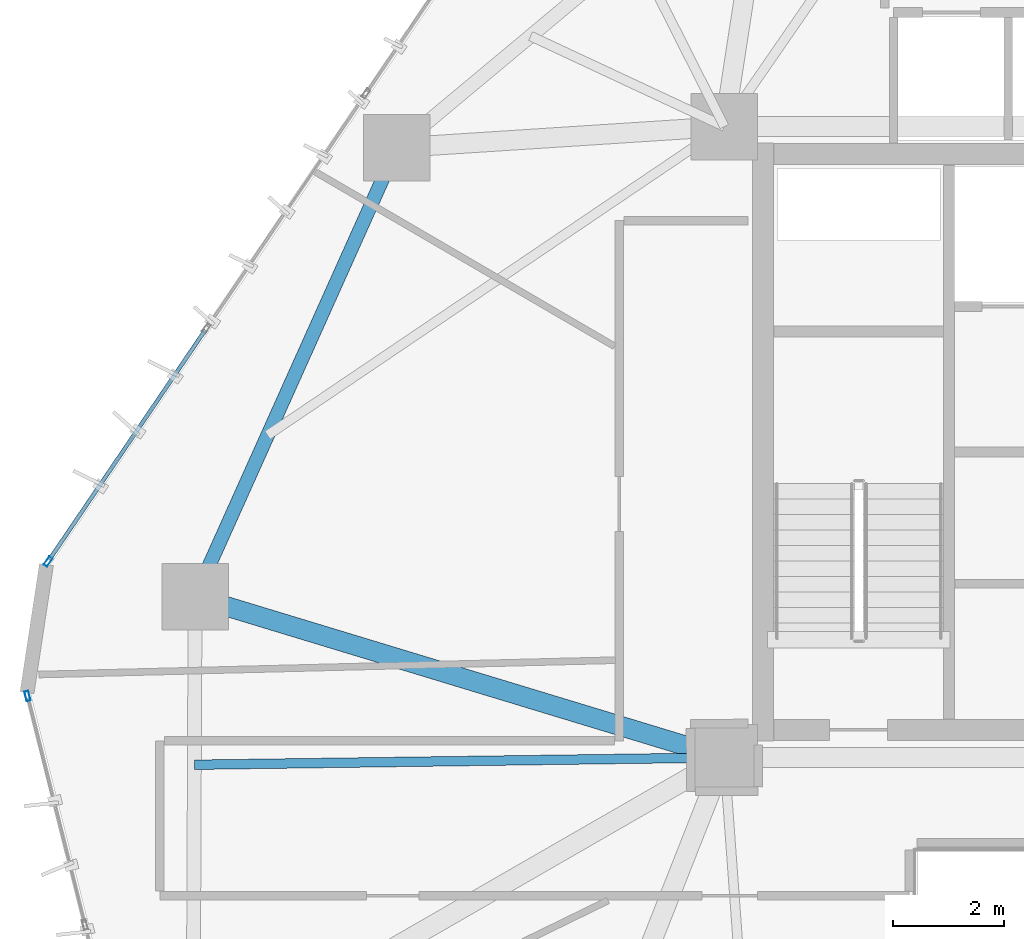
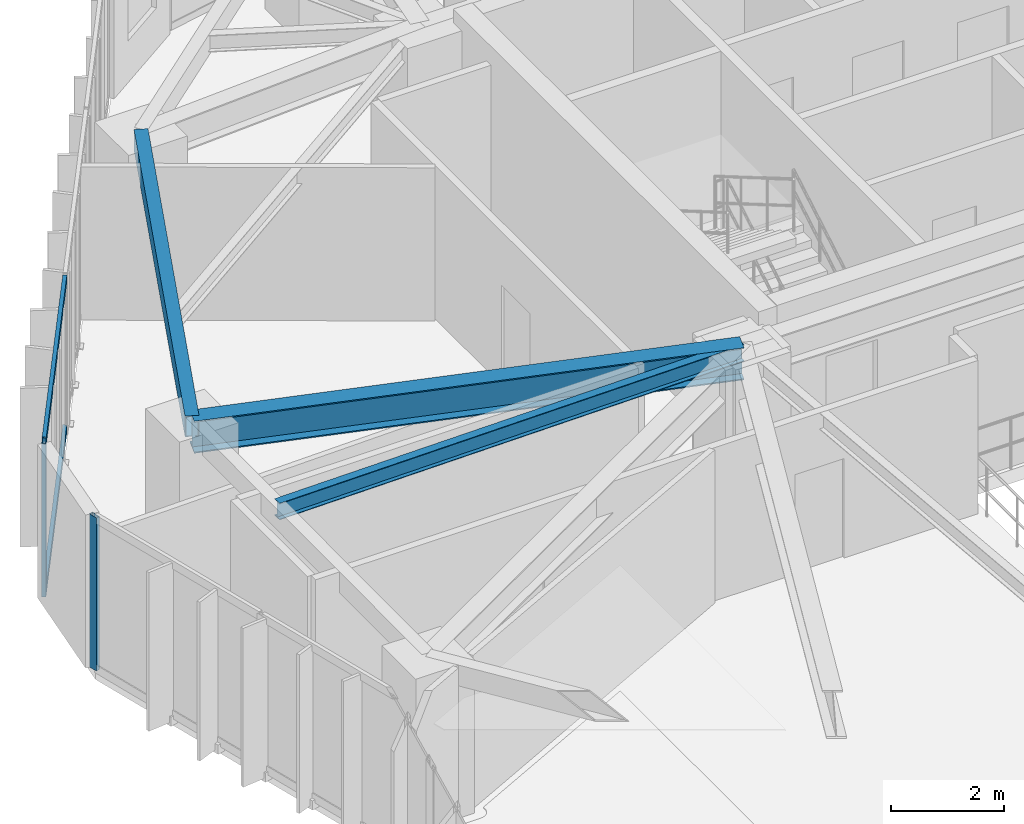
# One storey, part 8 of 22: 4 members, 3 beams, 2 elements without a shape of their own.
"""IFC4 building model written with IfcOpenShell, lengths in metres."""

from ifc_helpers import new_model, si_unit, direction, frame, origin, origin_2d, place, context, subcontext, project, spatial, hollow_rectangle, i_section, extrude, source, transform, mapped, material, layer, layer_set, material_profile, profile_set, type_object, type_shapes, element, aggregate, save


model = new_model("IFC4")

# Units and contexts
model_context = context("Model", 3, precision=1e-05, world=origin(), true_north=direction((0.0, 1.0)))
body_context = subcontext(model_context, "Body", "Model", "MODEL_VIEW")
ifc_project = project(units=[si_unit("LENGTHUNIT", "METRE"), si_unit("AREAUNIT", "SQUARE_METRE"), si_unit("VOLUMEUNIT", "CUBIC_METRE"), si_unit("PLANEANGLEUNIT", "RADIAN"), si_unit("MASSUNIT", "GRAM", prefix="KILO")], contexts=[model_context])

# Site, building, storey
site_placement = place(None, origin())
site = spatial("IfcSite", under=ifc_project, at=site_placement, CompositionType="ELEMENT")
building_placement = place(site_placement, origin())
building = spatial("IfcBuilding", under=site, at=building_placement, Name="Talar Marvaseh", CompositionType="ELEMENT")
storey_placement = place(building_placement, frame((0.0, 0.0, 125.39990234375)))
storey = spatial("IfcBuildingStorey", under=building, at=storey_placement, Name="L32", CompositionType="ELEMENT", Elevation=125.39990234375)

# Beams
ifc_material_1 = material(Name="Steel S355", Category="steel")
ifc_material_profile_1 = material_profile(ifc_material_1, hollow_rectangle(XDim=0.25, YDim=0.449951171875, WallThickness=0.01611328125, at=origin_2d()), Name="RHS450x250x16")
ifc_profile_set_1 = profile_set([ifc_material_profile_1], Name="Steel S355")
beam_type_1 = type_object("IfcBeamType", Name="Zone 2 Perimeter Spandrel Beam RHS450x250x16", PredefinedType="SPANDREL", material=ifc_profile_set_1)
beam_1_placement = place(storey_placement, frame((9.137939453125, 28.402099609375, 3.085205078125), z_axis=(0.409461733275, 0.912327292688, 0.0), x_axis=(-0.912327292688, 0.409461733275, 0.0)))
element("IfcBeam", 1, at=beam_1_placement, inside=storey, type_object=beam_type_1, Name="L32 Zone 2 Perimeter Spandrel Beam RHS450x250x16", PredefinedType="SPANDREL", context=body_context, shape_type="SweptSolid", body=[
    extrude(hollow_rectangle(XDim=0.25, YDim=0.449951171875, WallThickness=0.01611328125, at=origin_2d()), origin(), (0.0, 0.0, 1.0), 8.894775390625),
])
ifc_material_profile_2 = material_profile(ifc_material_1, i_section(OverallWidth=0.35498046875, OverallDepth=0.695068359375, WebThickness=0.015380859375, FlangeThickness=0.02490234375, at=origin_2d()), Name="W690x217")
ifc_profile_set_2 = profile_set([ifc_material_profile_2], Name="Steel S355")
beam_type_2 = type_object("IfcBeamType", Name="Zone 2 Radial Floor Girder W690x217", PredefinedType="BEAM", material=ifc_profile_set_2)
beam_2_placement = place(storey_placement, frame((9.137939453125, 28.402099609375, 2.962646484375), z_axis=(0.956898764921, -0.290421682546, 0.0), x_axis=(0.290421682546, 0.956898764921, 0.0)))
element("IfcBeam", 2, at=beam_2_placement, inside=storey, type_object=beam_type_2, Name="L32 Zone 2 Radial Floor Girder W690x217", PredefinedType="BEAM", context=body_context, shape_type="SweptSolid", body=[
    extrude(i_section(OverallWidth=0.35498046875, OverallDepth=0.695068359375, WebThickness=0.015380859375, FlangeThickness=0.02490234375, at=origin_2d()), origin(), (0.0, 0.0, 1.0), 9.99267578125),
])
ifc_material_profile_3 = material_profile(ifc_material_1, i_section(OverallWidth=0.172119140625, OverallDepth=0.35791015625, WebThickness=0.0078125, FlangeThickness=0.01318359375, at=origin_2d()), Name="W360x57")
ifc_profile_set_3 = profile_set([ifc_material_profile_3], Name="Steel S355")
beam_type_3 = type_object("IfcBeamType", Name="Zone 2 Secondary Floor Joist W360x57", PredefinedType="JOIST", material=ifc_profile_set_3)
beam_3_placement = place(storey_placement, frame((9.124755859375, 25.368896484375, 3.131103515625), z_axis=(0.999906277829, 0.013690710637, 0.0), x_axis=(-0.013690710637, 0.999906277829, 0.0)))
element("IfcBeam", 3, at=beam_3_placement, inside=storey, type_object=beam_type_3, Name="L32 Zone 2 Secondary Floor Joist W360x57", PredefinedType="JOIST", context=body_context, shape_type="SweptSolid", body=[
    extrude(i_section(OverallWidth=0.172119140625, OverallDepth=0.35791015625, WebThickness=0.0078125, FlangeThickness=0.01318359375, at=origin_2d()), origin(), (0.0, 0.0, 1.0), 9.576171875),
])

# Curtain wall, member
ifc_material_2 = material(Name="Architectural Aluminium", Category="aluminium")
ifc_layer = layer(ifc_material_2, 0.199951171875)
ifc_layer_set = layer_set([ifc_layer], Name="Architectural Aluminium")
curtain_wall_type = type_object("IfcCurtainWallType", Name="Unitised Acoustic Library Curtain Wall Z2", PredefinedType="NOTDEFINED", material=ifc_layer_set)
curtain_wall_1_placement = place(storey_placement, origin())
curtain_wall_1 = element("IfcCurtainWall", 4, at=curtain_wall_1_placement, inside=storey, type_object=curtain_wall_type, Name="L32 Unitised Acoustic Library Curtain Wall Z2", PredefinedType="NOTDEFINED")
ifc_material_profile_4 = material_profile(ifc_material_2, hollow_rectangle(XDim=0.074951171875, YDim=0.179931640625, WallThickness=0.0048828125, at=origin_2d()), Name="RHS180x75x5")
ifc_profile_set_4 = profile_set([ifc_material_profile_4], Name="Architectural Aluminium")
member_type_1 = type_object("IfcMemberType", Name="Unitised Curtain Wall Standard Mullion RHS180x75x5", PredefinedType="MULLION", material=ifc_profile_set_4)
shared_shape_1 = source(origin(), body_context, "Body", "SweptSolid", [
    extrude(hollow_rectangle(XDim=0.074951171875, YDim=0.179931640625, WallThickness=0.0048828125, at=origin_2d()), origin(), (0.0, 0.0, 1.0), 3.31005859375),
])
type_shapes(member_type_1, [shared_shape_1])
member_1_placement = place(storey_placement, frame((6.1103515625, 26.610595703125, 0.0), z_axis=(0.0, 0.0, 1.0), x_axis=(-0.96988842573, -0.243549669748, 0.0)))
member_1 = element("IfcMember", 5, at=member_1_placement, type_object=member_type_1, Name="CW-Z2 mullion 5", PredefinedType="MULLION", context=body_context, shape_type="MappedRepresentation", body=[
    mapped(shared_shape_1, transform((0.0, 0.0, 0.0), x_axis=(1.0, 0.0, 0.0), y_axis=(0.0, 1.0, 0.0), z_axis=(0.0, 0.0, 1.0), scale=1.0)),
])
aggregate(curtain_wall_1, [member_1])

# Curtain wall, members
curtain_wall_2_placement = place(storey_placement, origin())
curtain_wall_2 = element("IfcCurtainWall", 6, at=curtain_wall_2_placement, inside=storey, type_object=curtain_wall_type, Name="L32 Unitised Acoustic Library Curtain Wall Z2", PredefinedType="NOTDEFINED")
member_2_placement = place(storey_placement, frame((6.481689453125, 29.04052734375, 0.0), z_axis=(0.0, 0.0, 1.0), x_axis=(-0.827258343786, 0.561821708939, 0.0)))
member_2 = element("IfcMember", 7, at=member_2_placement, type_object=member_type_1, Name="CW-Z2 mullion 1", PredefinedType="MULLION", context=body_context, shape_type="MappedRepresentation", body=[
    mapped(shared_shape_1, transform((0.0, 0.0, 0.0), x_axis=(1.0, 0.0, 0.0), y_axis=(0.0, 1.0, 0.0), z_axis=(0.0, 0.0, 1.0), scale=1.0)),
])
ifc_material_profile_5 = material_profile(ifc_material_2, hollow_rectangle(XDim=0.074951171875, YDim=0.179931640625, WallThickness=0.0048828125, at=origin_2d()), Name="RHS180x75x5")
ifc_profile_set_5 = profile_set([ifc_material_profile_5], Name="Architectural Aluminium")
member_type_2 = type_object("IfcMemberType", Name="Unitised Curtain Wall Transom RHS180x75x5", PredefinedType="USERDEFINED", material=ifc_profile_set_5)
shared_shape_2 = source(origin(), body_context, "Body", "SweptSolid", [
    extrude(hollow_rectangle(XDim=0.074951171875, YDim=0.179931640625, WallThickness=0.0048828125, at=origin_2d()), origin(), (0.0, 0.0, 1.0), 5.017578125),
])
type_shapes(member_type_2, [shared_shape_2])
member_3_placement = place(storey_placement, frame((6.5029296875, 29.071533203125, 0.03759765625), z_axis=(0.561798851146, 0.827273866897, 0.0), x_axis=(-0.827273866897, 0.561798851146, 0.0)))
member_3 = element("IfcMember", 8, at=member_3_placement, type_object=member_type_2, Name="CW-Z2 transom 1.1", ObjectType="TRANSOM", PredefinedType="USERDEFINED", context=body_context, shape_type="MappedRepresentation", body=[
    mapped(shared_shape_2, transform((0.0, 0.0, 0.0), x_axis=(1.0, 0.0, 0.0), y_axis=(0.0, 1.0, 0.0), z_axis=(0.0, 0.0, 1.0), scale=1.0)),
])
member_4_placement = place(storey_placement, frame((6.5029296875, 29.071533203125, 3.272705078125), z_axis=(0.561798851146, 0.827273866897, 0.0), x_axis=(-0.827273866897, 0.561798851146, 0.0)))
member_4 = element("IfcMember", 9, at=member_4_placement, type_object=member_type_2, Name="CW-Z2 transom 1.2", ObjectType="TRANSOM", PredefinedType="USERDEFINED", context=body_context, shape_type="MappedRepresentation", body=[
    mapped(shared_shape_2, transform((0.0, 0.0, 0.0), x_axis=(1.0, 0.0, 0.0), y_axis=(0.0, 1.0, 0.0), z_axis=(0.0, 0.0, 1.0), scale=1.0)),
])
aggregate(curtain_wall_2, [member_2, member_3, member_4])

save(model, "model.ifc")
